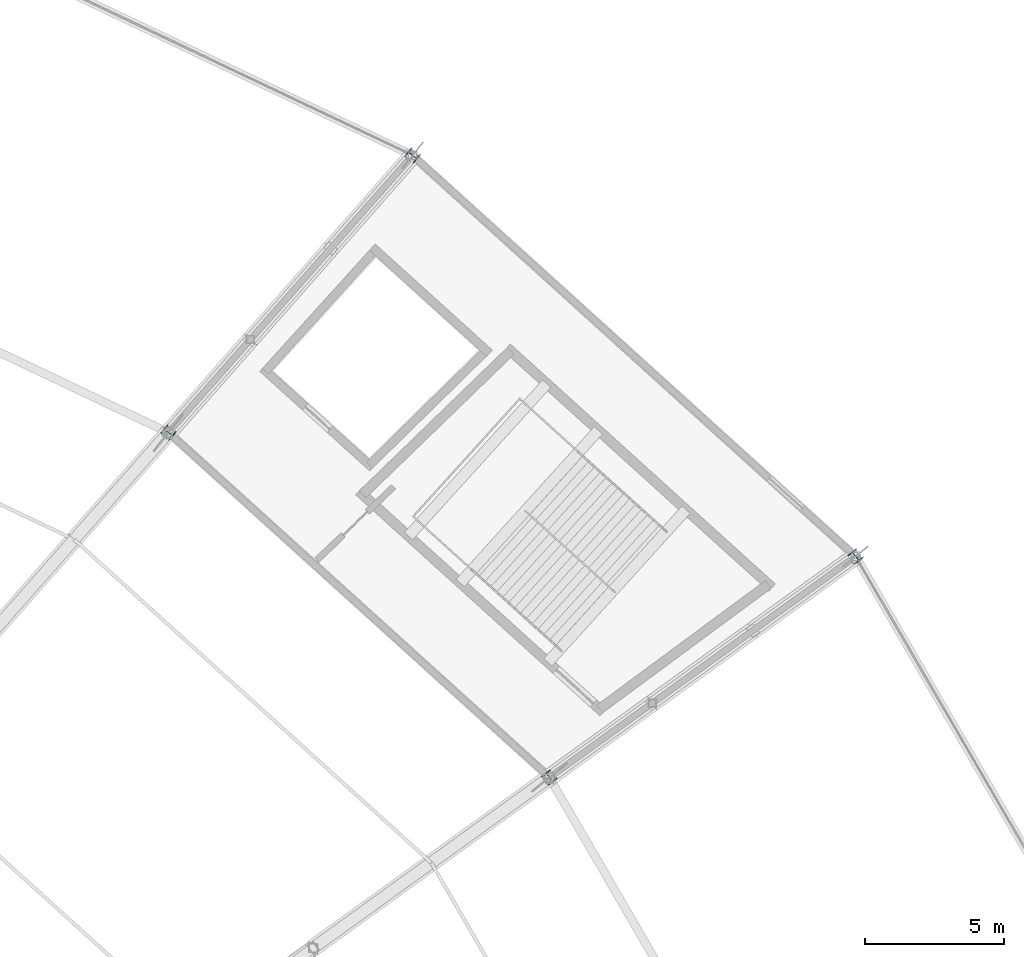
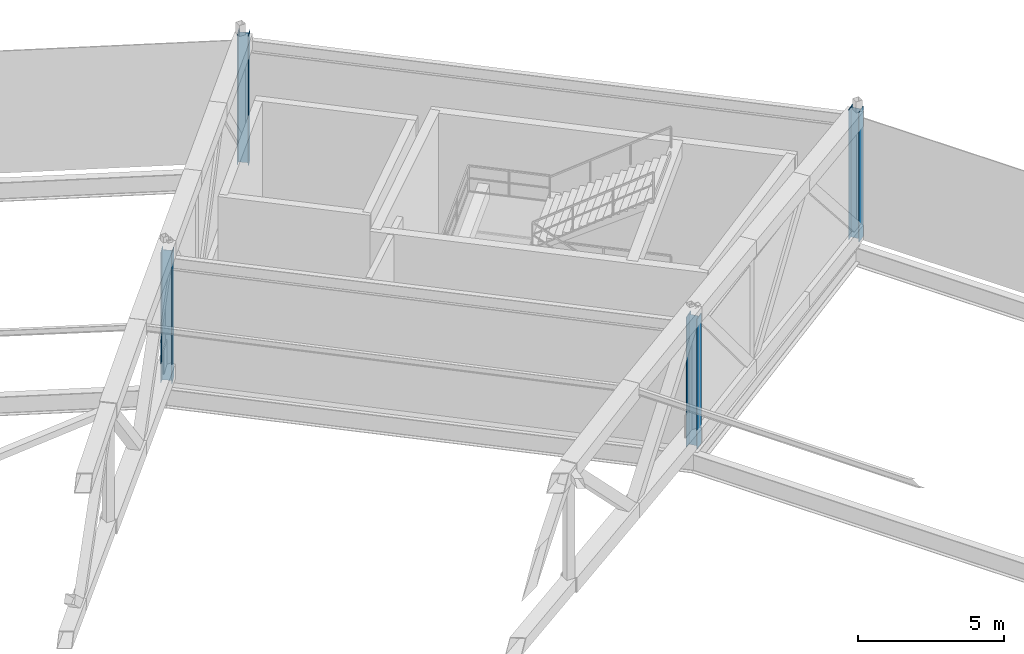
# One storey, part 4 of 162: 4 columns.
"""IFC4 building model written with IfcOpenShell, lengths in metres."""

from ifc_helpers import new_model, si_unit, direction, frame, origin, origin_2d, place, context, subcontext, project, spatial, i_section, extrude, material, material_profile, profile_set, type_object, element, save


model = new_model("IFC4")

# Units and contexts
model_context = context("Model", 3, precision=1e-05, world=origin(), true_north=direction((0.0, 1.0)))
body_context = subcontext(model_context, "Body", "Model", "MODEL_VIEW")
ifc_project = project(units=[si_unit("LENGTHUNIT", "METRE"), si_unit("AREAUNIT", "SQUARE_METRE"), si_unit("VOLUMEUNIT", "CUBIC_METRE"), si_unit("PLANEANGLEUNIT", "RADIAN"), si_unit("MASSUNIT", "GRAM", prefix="KILO")], contexts=[model_context])

# Site, building, storey
site_placement = place(None, origin())
site = spatial("IfcSite", under=ifc_project, at=site_placement, CompositionType="ELEMENT")
building_placement = place(site_placement, origin())
building = spatial("IfcBuilding", under=site, at=building_placement, Name="Kazemori Nagisa Stadium", CompositionType="ELEMENT")
storey_placement = place(building_placement, frame((0.0, 0.0, 36.719970703125)))
storey = spatial("IfcBuildingStorey", under=building, at=storey_placement, Name="RF", CompositionType="ELEMENT", Elevation=36.719970703125)

# Columns
ifc_material = material(Name="Steel SN490B", Category="steel")
ifc_material_profile = material_profile(ifc_material, i_section(OverallWidth=0.39990234375, OverallDepth=0.39990234375, WebThickness=0.012939453125, FlangeThickness=0.02099609375, FilletRadius=0.012939453125, at=origin_2d()), Name="H-400x400x13x21")
ifc_profile_set = profile_set([ifc_material_profile], Name="Steel SN490B")
column_type = type_object("IfcColumnType", Name="Column_C-H400", PredefinedType="COLUMN", material=ifc_profile_set)
for number, where, z_axis, x_axis, name in (
    (1, (190.506103515625, 150.734130859375, 0.0), (0.0, 0.0, 1.0), (0.781831482473, 0.623489801853, 0.0), "Column C-H400 RF R2-04"),
    (2, (176.834228515625, 163.11083984375, 0.0), (0.0, 0.0, 1.0), (0.623489801853, 0.781831482473, 0.0), "Column C-H400 RF R2-05"),
    (3, (201.495361328125, 158.667724609375, 0.0), (0.0, 0.0, 1.0), (0.781831482473, 0.623489801853, 0.0), "Column C-H400 RF R3-04"),
    (4, (185.597900390625, 173.05908203125, 0.0), (0.0, 0.0, 1.0), (0.623489801853, 0.781831482473, 0.0), "Column C-H400 RF R3-05"),
):
    element("IfcColumn", number, at=place(storey_placement, frame(where, z_axis=z_axis, x_axis=x_axis)), inside=storey, type_object=column_type, Name=name, PredefinedType="COLUMN", context=body_context, shape_type="SweptSolid", body=[
        extrude(i_section(OverallWidth=0.39990234375, OverallDepth=0.39990234375, WebThickness=0.012939453125, FlangeThickness=0.02099609375, FilletRadius=0.012939453125, at=origin_2d()), origin(), (0.0, 0.0, 1.0), 5.43994140625),
    ])

save(model, "model.ifc")
